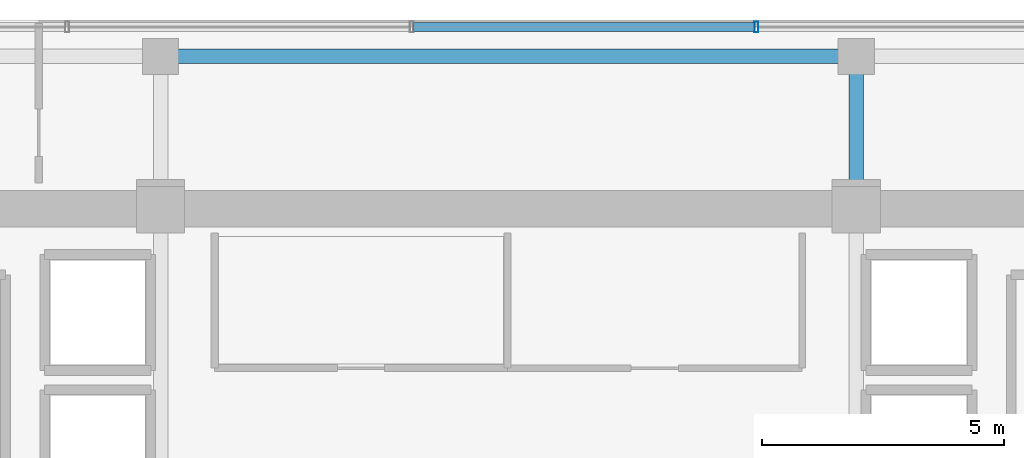
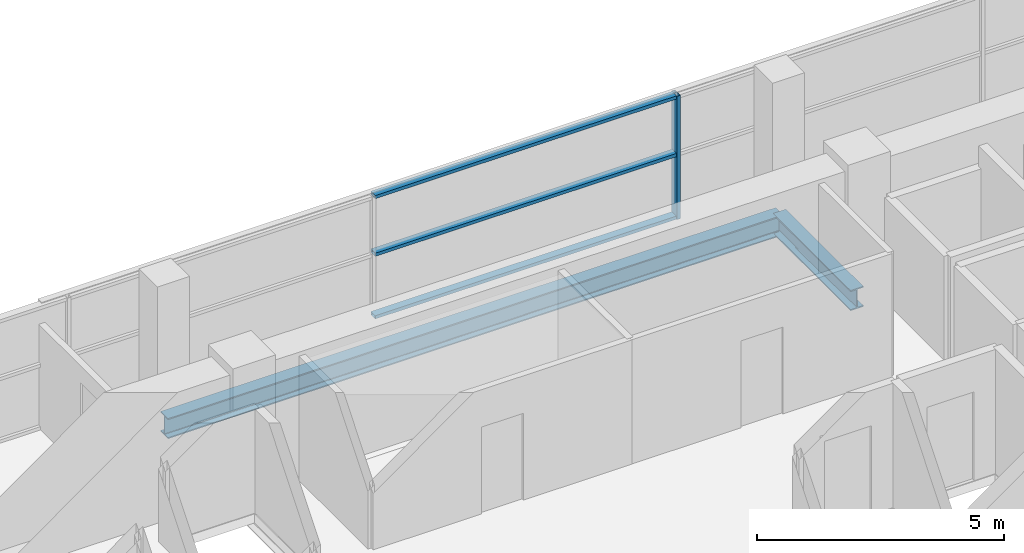
# One storey, part 11 of 21: 4 members, 2 beams, 1 element without a shape of its own.
"""IFC4 building model written with IfcOpenShell, lengths in metres."""

from ifc_helpers import new_model, si_unit, direction, frame, origin, origin_2d, place, context, subcontext, project, spatial, hollow_rectangle, i_section, extrude, source, transform, mapped, material, layer, layer_set, material_profile, profile_set, type_object, element, aggregate, save


model = new_model("IFC4")

# Units and contexts
model_context = context("Model", 3, precision=1e-05, world=origin(), true_north=direction((0.0, 1.0)))
body_context = subcontext(model_context, "Body", "Model", "MODEL_VIEW")
ifc_project = project(units=[si_unit("LENGTHUNIT", "METRE"), si_unit("AREAUNIT", "SQUARE_METRE"), si_unit("VOLUMEUNIT", "CUBIC_METRE"), si_unit("PLANEANGLEUNIT", "RADIAN"), si_unit("MASSUNIT", "GRAM", prefix="KILO")], contexts=[model_context])

# Site, building, storey
site_placement = place(None, origin())
site = spatial("IfcSite", under=ifc_project, at=site_placement, CompositionType="ELEMENT")
building_placement = place(site_placement, origin())
building = spatial("IfcBuilding", under=site, at=building_placement, Name="Zarnakvel Exchange Tower", CompositionType="ELEMENT")
storey_placement = place(building_placement, frame((0.0, 0.0, 159.39990234375)))
storey = spatial("IfcBuildingStorey", under=building, at=storey_placement, Name="L44", CompositionType="ELEMENT", Elevation=159.39990234375)

# Beams
ifc_material_1 = material(Name="Steel S355", Category="steel")
ifc_material_profile_1 = material_profile(ifc_material_1, i_section(OverallWidth=0.300048828125, OverallDepth=0.5, WebThickness=0.014404296875, FlangeThickness=0.028076171875, FilletRadius=0.027099609375, at=origin_2d()))
ifc_profile_set_1 = profile_set([ifc_material_profile_1], Name="Steel S355")
beam_type_1 = type_object("IfcBeamType", Name="G-06", PredefinedType="BEAM", material=ifc_profile_set_1)
beam_1_placement = place(storey_placement, frame((7.199951171875, 13.5, -0.474853515625), z_axis=(0.0, 1.0, 0.0), x_axis=(-1.0, 0.0, 0.0)))
element("IfcBeam", 1, at=beam_1_placement, inside=storey, type_object=beam_type_1, Name="L44 Tower N-S Frame Beam", PredefinedType="BEAM", context=body_context, shape_type="SweptSolid", body=[
    extrude(i_section(OverallWidth=0.300048828125, OverallDepth=0.5, WebThickness=0.014404296875, FlangeThickness=0.028076171875, FilletRadius=0.027099609375, at=origin_2d()), origin(), (0.0, 0.0, 1.0), 3.14990234375),
])
ifc_material_profile_2 = material_profile(ifc_material_1, i_section(OverallWidth=0.300048828125, OverallDepth=0.5, WebThickness=0.014404296875, FlangeThickness=0.028076171875, FilletRadius=0.027099609375, at=origin_2d()))
ifc_profile_set_2 = profile_set([ifc_material_profile_2], Name="Steel S355")
beam_type_2 = type_object("IfcBeamType", Name="SP-02", PredefinedType="SPANDREL", material=ifc_profile_set_2)
beam_2_placement = place(storey_placement, frame((-7.199951171875, 16.64990234375, -0.474853515625), z_axis=(1.0, 0.0, 0.0), x_axis=(0.0, 1.0, 0.0)))
element("IfcBeam", 2, at=beam_2_placement, inside=storey, type_object=beam_type_2, Name="L44 Tower E-W Frame Beam", PredefinedType="SPANDREL", context=body_context, shape_type="SweptSolid", body=[
    extrude(i_section(OverallWidth=0.300048828125, OverallDepth=0.5, WebThickness=0.014404296875, FlangeThickness=0.028076171875, FilletRadius=0.027099609375, at=origin_2d()), origin(), (0.0, 0.0, 1.0), 14.39990234375),
])

# Curtain wall, members
ifc_material_2 = material(Name="Architectural Bronze Anodised Aluminium", Category="aluminium")
ifc_layer = layer(ifc_material_2, 0.219970703125)
ifc_layer_set = layer_set([ifc_layer], Name="Architectural Bronze Anodised Aluminium")
curtain_wall_type = type_object("IfcCurtainWallType", Name="CW-03", PredefinedType="NOTDEFINED", material=ifc_layer_set)
curtain_wall_placement = place(storey_placement, origin())
curtain_wall = element("IfcCurtainWall", 3, at=curtain_wall_placement, inside=storey, type_object=curtain_wall_type, Name="L44 Curtain Wall CW-L44-N1 (CW-03)", PredefinedType="NOTDEFINED")
ifc_material_profile_3 = material_profile(ifc_material_2, hollow_rectangle(XDim=0.179931640625, YDim=0.080078125, WallThickness=0.00390625, at=origin_2d()))
ifc_profile_set_3 = profile_set([ifc_material_profile_3], Name="Architectural Bronze Anodised Aluminium")
member_type_1 = type_object("IfcMemberType", Name="CWT-03", PredefinedType="USERDEFINED", material=ifc_profile_set_3)
shared_shape_1 = source(origin(), body_context, "Body", "SweptSolid", [
    extrude(hollow_rectangle(XDim=0.179931640625, YDim=0.080078125, WallThickness=0.00390625, at=origin_2d()), origin(), (0.0, 0.0, 1.0), 7.05322265625),
])
member_1_placement = place(storey_placement, frame((-1.9599609375, 17.260009765625, 0.0400390625), z_axis=(1.0, 0.0, 0.0), x_axis=(0.0, 1.0, 0.0)))
member_1 = element("IfcMember", 4, at=member_1_placement, type_object=member_type_1, Name="CW-03 transom 4.1", ObjectType="TRANSOM", PredefinedType="USERDEFINED", context=body_context, shape_type="MappedRepresentation", body=[
    mapped(shared_shape_1, transform((0.0, 0.0, 0.0), x_axis=(1.0, 0.0, 0.0), y_axis=(0.0, 1.0, 0.0), z_axis=(0.0, 0.0, 1.0), scale=1.0)),
])
member_2_placement = place(storey_placement, frame((-1.9599609375, 17.260009765625, 1.588623046875), z_axis=(1.0, 0.0, 0.0), x_axis=(0.0, 1.0, 0.0)))
member_2 = element("IfcMember", 5, at=member_2_placement, type_object=member_type_1, Name="CW-03 transom 4.2", ObjectType="TRANSOM", PredefinedType="USERDEFINED", context=body_context, shape_type="MappedRepresentation", body=[
    mapped(shared_shape_1, transform((0.0, 0.0, 0.0), x_axis=(1.0, 0.0, 0.0), y_axis=(0.0, 1.0, 0.0), z_axis=(0.0, 0.0, 1.0), scale=1.0)),
])
member_3_placement = place(storey_placement, frame((-1.9599609375, 17.260009765625, 3.01513671875), z_axis=(1.0, 0.0, 0.0), x_axis=(0.0, 1.0, 0.0)))
member_3 = element("IfcMember", 6, at=member_3_placement, type_object=member_type_1, Name="CW-03 transom 4.3", ObjectType="TRANSOM", PredefinedType="USERDEFINED", context=body_context, shape_type="MappedRepresentation", body=[
    mapped(shared_shape_1, transform((0.0, 0.0, 0.0), x_axis=(1.0, 0.0, 0.0), y_axis=(0.0, 1.0, 0.0), z_axis=(0.0, 0.0, 1.0), scale=1.0)),
])
ifc_material_profile_4 = material_profile(ifc_material_2, hollow_rectangle(XDim=0.219970703125, YDim=0.080078125, WallThickness=0.0048828125, at=origin_2d()))
ifc_profile_set_4 = profile_set([ifc_material_profile_4], Name="Architectural Bronze Anodised Aluminium")
member_type_2 = type_object("IfcMemberType", Name="CWM-03", PredefinedType="MULLION", material=ifc_profile_set_4)
shared_shape_2 = source(origin(), body_context, "Body", "SweptSolid", [
    extrude(hollow_rectangle(XDim=0.219970703125, YDim=0.080078125, WallThickness=0.0048828125, at=origin_2d()), origin(), (0.0, 0.0, 1.0), 3.05517578125),
])
member_4_placement = place(storey_placement, frame((5.13330078125, 17.260009765625, 0.0), z_axis=(0.0, 0.0, 1.0), x_axis=(0.0, 1.0, 0.0)))
member_4 = element("IfcMember", 7, at=member_4_placement, type_object=member_type_2, Name="CW-03 mullion 5", PredefinedType="MULLION", context=body_context, shape_type="MappedRepresentation", body=[
    mapped(shared_shape_2, transform((0.0, 0.0, 0.0), x_axis=(1.0, 0.0, 0.0), y_axis=(0.0, 1.0, 0.0), z_axis=(0.0, 0.0, 1.0), scale=1.0)),
])
aggregate(curtain_wall, [member_4, member_1, member_2, member_3])

save(model, "model.ifc")
